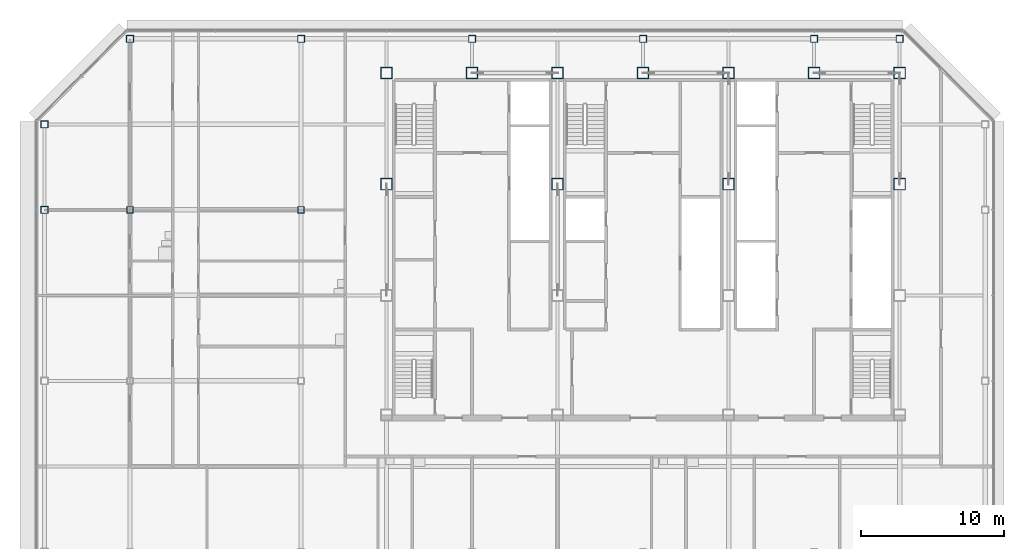
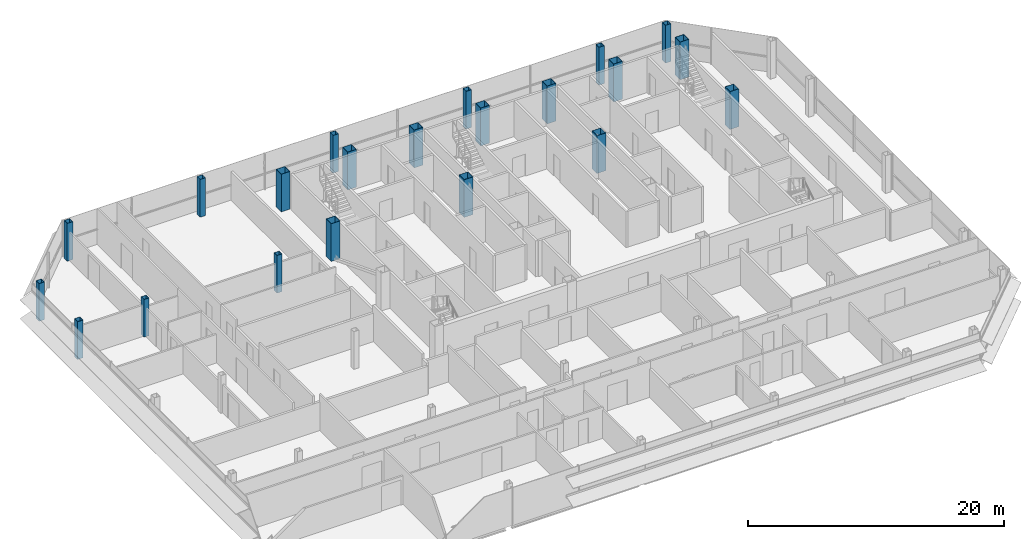
# One storey, part 2 of 27: 21 columns.
"""IFC4 building model written with IfcOpenShell, lengths in metres."""

from ifc_helpers import new_model, si_unit, direction, frame, origin, origin_2d, place, context, subcontext, project, spatial, hollow_rectangle, extrude, material, material_profile, profile_set, type_object, element, save


model = new_model("IFC4")

# Units and contexts
model_context = context("Model", 3, precision=1e-05, world=origin(), true_north=direction((0.0, 1.0)))
body_context = subcontext(model_context, "Body", "Model", "MODEL_VIEW")
ifc_project = project(units=[si_unit("LENGTHUNIT", "METRE"), si_unit("AREAUNIT", "SQUARE_METRE"), si_unit("VOLUMEUNIT", "CUBIC_METRE"), si_unit("PLANEANGLEUNIT", "RADIAN"), si_unit("MASSUNIT", "GRAM", prefix="KILO")], contexts=[model_context])

# Site, building, storey
site_placement = place(None, origin())
site = spatial("IfcSite", under=ifc_project, at=site_placement, CompositionType="ELEMENT")
building_placement = place(site_placement, origin())
building = spatial("IfcBuilding", under=site, at=building_placement, Name="Sorahane Residences", CompositionType="ELEMENT")
storey_placement = place(building_placement, frame((0.0, 0.0, 323.199951171875)))
storey = spatial("IfcBuildingStorey", under=building, at=storey_placement, Name="L77", CompositionType="ELEMENT", Elevation=323.199951171875)

# Columns
ifc_material_1 = material(Name="Steel Q355B", Category="steel")
ifc_material_profile_1 = material_profile(ifc_material_1, hollow_rectangle(XDim=0.449951171875, YDim=0.449951171875, WallThickness=0.02197265625, at=origin_2d()), Name="BOX 450x450x22")
ifc_profile_set_1 = profile_set([ifc_material_profile_1], Name="Steel Q355B")
column_type_1 = type_object("IfcColumnType", Name="Steel box column BOX 450x450x22 Q355B", PredefinedType="COLUMN", material=ifc_profile_set_1)
for number, where, z_axis, x_axis, name in (
    (1, (-12.0, 36.0, 0.0), (0.0, 0.0, 1.0), (1.0, 0.0, 0.0), "Column L77 m12/36"),
    (2, (0.0, 36.0, 0.0), (0.0, 0.0, 1.0), (1.0, 0.0, 0.0), "Column L77 0/36"),
):
    element("IfcColumn", number, at=place(storey_placement, frame(where, z_axis=z_axis, x_axis=x_axis)), inside=storey, type_object=column_type_1, Name=name, PredefinedType="COLUMN", context=body_context, shape_type="SweptSolid", body=[
        extrude(hollow_rectangle(XDim=0.449951171875, YDim=0.449951171875, WallThickness=0.02197265625, at=origin_2d()), origin(), (0.0, 0.0, 1.0), 3.60009765625),
    ])
ifc_material_2 = material(Name="Steel Q355B", Category="steel")
ifc_material_profile_2 = material_profile(ifc_material_2, hollow_rectangle(XDim=0.5, YDim=0.5, WallThickness=0.02490234375, at=origin_2d()), Name="BOX 500x500x25")
ifc_profile_set_2 = profile_set([ifc_material_profile_2], Name="Steel Q355B")
column_type_2 = type_object("IfcColumnType", Name="Steel box column BOX 500x500x25 Q355B", PredefinedType="COLUMN", material=ifc_profile_set_2)
for number, where, z_axis, x_axis, name in (
    (3, (-18.0, 36.0, 0.0), (0.0, 0.0, 1.0), (1.0, 0.0, 0.0), "Column L77 m18/36"),
    (4, (-18.0, 42.0, 0.0), (0.0, 0.0, 1.0), (1.0, 0.0, 0.0), "Column L77 m18/42"),
    (5, (-12.0, 48.0, 0.0), (0.0, 0.0, 1.0), (1.0, 0.0, 0.0), "Column L77 m12/48"),
    (6, (0.0, 48.0, 0.0), (0.0, 0.0, 1.0), (1.0, 0.0, 0.0), "Column L77 0/48"),
    (7, (12.0, 48.0, 0.0), (0.0, 0.0, 1.0), (1.0, 0.0, 0.0), "Column L77 12/48"),
    (8, (24.0, 48.0, 0.0), (0.0, 0.0, 1.0), (1.0, 0.0, 0.0), "Column L77 24/48"),
    (9, (36.0, 48.0, 0.0), (0.0, 0.0, 1.0), (1.0, 0.0, 0.0), "Column L77 36/48"),
    (10, (42.0, 48.0, 0.0), (0.0, 0.0, 1.0), (1.0, 0.0, 0.0), "Column L77 42/48"),
):
    element("IfcColumn", number, at=place(storey_placement, frame(where, z_axis=z_axis, x_axis=x_axis)), inside=storey, type_object=column_type_2, Name=name, PredefinedType="COLUMN", context=body_context, shape_type="SweptSolid", body=[
        extrude(hollow_rectangle(XDim=0.5, YDim=0.5, WallThickness=0.02490234375, at=origin_2d()), origin(), (0.0, 0.0, 1.0), 3.60009765625),
    ])
ifc_material_3 = material(Name="Steel Q355B", Category="steel")
ifc_material_profile_3 = material_profile(ifc_material_3, hollow_rectangle(XDim=0.800048828125, YDim=0.800048828125, WallThickness=0.02490234375, at=origin_2d()), Name="BOX 800x800x25")
ifc_profile_set_3 = profile_set([ifc_material_profile_3], Name="Steel Q355B")
column_type_3 = type_object("IfcColumnType", Name="Steel box column BOX 800x800x25 Q355B", PredefinedType="COLUMN", material=ifc_profile_set_3)
for number, where, z_axis, x_axis, name in (
    (11, (6.0, 37.800048828125, 0.0), (0.0, 0.0, 1.0), (1.0, 0.0, 0.0), "Column L77 6/37.8"),
    (12, (6.0, 45.60009765625, 0.0), (0.0, 0.0, 1.0), (1.0, 0.0, 0.0), "Column L77 6/45.6"),
    (13, (12.0, 45.60009765625, 0.0), (0.0, 0.0, 1.0), (1.0, 0.0, 0.0), "Column L77 12/45.6"),
    (14, (18.0, 37.800048828125, 0.0), (0.0, 0.0, 1.0), (1.0, 0.0, 0.0), "Column L77 18/37.8"),
    (15, (18.0, 45.60009765625, 0.0), (0.0, 0.0, 1.0), (1.0, 0.0, 0.0), "Column L77 18/45.6"),
    (16, (24.0, 45.60009765625, 0.0), (0.0, 0.0, 1.0), (1.0, 0.0, 0.0), "Column L77 24/45.6"),
    (17, (30.0, 37.800048828125, 0.0), (0.0, 0.0, 1.0), (1.0, 0.0, 0.0), "Column L77 30/37.8"),
    (18, (30.0, 45.60009765625, 0.0), (0.0, 0.0, 1.0), (1.0, 0.0, 0.0), "Column L77 30/45.6"),
    (19, (36.0, 45.60009765625, 0.0), (0.0, 0.0, 1.0), (1.0, 0.0, 0.0), "Column L77 36/45.6"),
    (20, (42.0, 37.800048828125, 0.0), (0.0, 0.0, 1.0), (1.0, 0.0, 0.0), "Column L77 42/37.8"),
    (21, (42.0, 45.60009765625, 0.0), (0.0, 0.0, 1.0), (1.0, 0.0, 0.0), "Column L77 42/45.6"),
):
    element("IfcColumn", number, at=place(storey_placement, frame(where, z_axis=z_axis, x_axis=x_axis)), inside=storey, type_object=column_type_3, Name=name, PredefinedType="COLUMN", context=body_context, shape_type="SweptSolid", body=[
        extrude(hollow_rectangle(XDim=0.800048828125, YDim=0.800048828125, WallThickness=0.02490234375, at=origin_2d()), origin(), (0.0, 0.0, 1.0), 3.60009765625),
    ])

save(model, "model.ifc")
